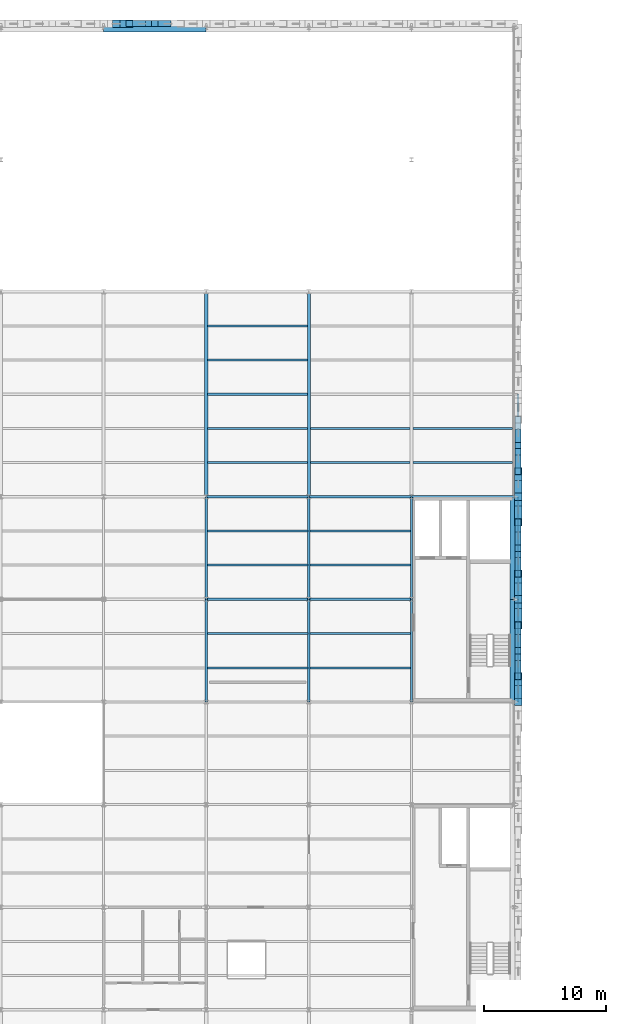
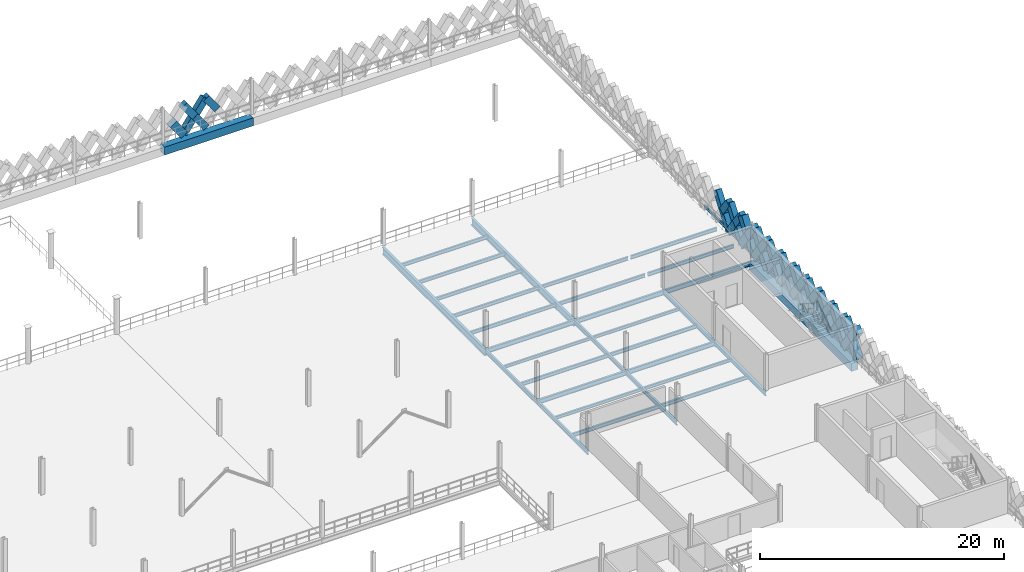
# One storey, part 25 of 47: 40 members, 33 beams.
"""IFC4 building model written with IfcOpenShell, lengths in metres."""

from ifc_helpers import new_model, si_unit, direction, frame, origin, origin_2d, place, context, subcontext, project, spatial, rectangle, hollow_rectangle, i_section, extrude, material, material_profile, profile_set, type_object, element, save


model = new_model("IFC4")

# Units and contexts
model_context = context("Model", 3, precision=1e-05, world=origin(), true_north=direction((0.0, 1.0)))
body_context = subcontext(model_context, "Body", "Model", "MODEL_VIEW")
ifc_project = project(units=[si_unit("LENGTHUNIT", "METRE"), si_unit("AREAUNIT", "SQUARE_METRE"), si_unit("VOLUMEUNIT", "CUBIC_METRE"), si_unit("PLANEANGLEUNIT", "RADIAN"), si_unit("MASSUNIT", "GRAM", prefix="KILO"), si_unit("THERMODYNAMICTEMPERATUREUNIT", "KELVIN"), si_unit("POWERUNIT", "WATT")], contexts=[model_context])

# Site, building, storey
site_placement = place(None, origin())
site = spatial("IfcSite", under=ifc_project, at=site_placement, CompositionType="ELEMENT")
building_placement = place(site_placement, origin())
building = spatial("IfcBuilding", under=site, at=building_placement, Name="Tembeka Court Mobility Hub", CompositionType="ELEMENT")
storey_placement = place(building_placement, frame((0.0, 0.0, 19.800048828125)))
storey = spatial("IfcBuildingStorey", under=building, at=storey_placement, Name="L05", CompositionType="ELEMENT", Elevation=19.800048828125)

# Beams
ifc_material_1 = material(Name="Steel S355", Category="steel")
ifc_material_profile_1 = material_profile(ifc_material_1, i_section(OverallWidth=0.18994140625, OverallDepth=0.45703125, WebThickness=0.009033203125, FlangeThickness=0.014404296875, FilletRadius=0.01025390625, at=origin_2d()), Name="UKB 457x191x74")
ifc_profile_set_1 = profile_set([ifc_material_profile_1], Name="Steel S355")
beam_type_1 = type_object("IfcBeamType", Name="BM-B01", PredefinedType="BEAM", material=ifc_profile_set_1)
beam_1_placement = place(storey_placement, frame((67.199951171875, 72.0, -0.448486328125), z_axis=(1.0, 0.0, 0.0), x_axis=(0.0, 1.0, 0.0)))
element("IfcBeam", 1, at=beam_1_placement, inside=storey, type_object=beam_type_1, Name="Beam B01 (BM-L05-X2740)", PredefinedType="BEAM", context=body_context, shape_type="SweptSolid", body=[
    extrude(i_section(OverallWidth=0.18994140625, OverallDepth=0.45703125, WebThickness=0.009033203125, FlangeThickness=0.014404296875, FilletRadius=0.01025390625, at=origin_2d()), origin(), (0.0, 0.0, 1.0), 8.400146484375),
])
beam_2_placement = place(storey_placement, frame((75.60009765625, 72.0, -0.448486328125), z_axis=(1.0, 0.0, 0.0), x_axis=(0.0, 1.0, 0.0)))
element("IfcBeam", 2, at=beam_2_placement, inside=storey, type_object=beam_type_1, Name="Beam B01 (BM-L05-X2741)", PredefinedType="BEAM", context=body_context, shape_type="SweptSolid", body=[
    extrude(i_section(OverallWidth=0.18994140625, OverallDepth=0.45703125, WebThickness=0.009033203125, FlangeThickness=0.014404296875, FilletRadius=0.01025390625, at=origin_2d()), origin(), (0.0, 0.0, 1.0), 8.39990234375),
])
beam_3_placement = place(storey_placement, frame((67.199951171875, 80.39990234375, -0.448486328125), z_axis=(1.0, 0.0, 0.0), x_axis=(0.0, 1.0, 0.0)))
element("IfcBeam", 3, at=beam_3_placement, inside=storey, type_object=beam_type_1, Name="Beam B01 (BM-L05-X2750)", PredefinedType="BEAM", context=body_context, shape_type="SweptSolid", body=[
    extrude(i_section(OverallWidth=0.18994140625, OverallDepth=0.45703125, WebThickness=0.009033203125, FlangeThickness=0.014404296875, FilletRadius=0.01025390625, at=origin_2d()), origin(), (0.0, 0.0, 1.0), 8.400146484375),
])
for number, where, z_axis, x_axis, name in (
    (4, (75.60009765625, 80.39990234375, -0.448486328125), (1.0, 0.0, 0.0), (0.0, 1.0, 0.0), "Beam B01 (BM-L05-X2751)"),
    (5, (84.0, 80.39990234375, -0.448486328125), (1.0, 0.0, 0.0), (0.0, 1.0, 0.0), "Beam B01 (BM-L05-X2752)"),
):
    element("IfcBeam", number, at=place(storey_placement, frame(where, z_axis=z_axis, x_axis=x_axis)), inside=storey, type_object=beam_type_1, Name=name, PredefinedType="BEAM", context=body_context, shape_type="SweptSolid", body=[
        extrude(i_section(OverallWidth=0.18994140625, OverallDepth=0.45703125, WebThickness=0.009033203125, FlangeThickness=0.014404296875, FilletRadius=0.01025390625, at=origin_2d()), origin(), (0.0, 0.0, 1.0), 8.39990234375),
    ])
ifc_material_profile_2 = material_profile(ifc_material_1, i_section(OverallWidth=0.177978515625, OverallDepth=0.406005859375, WebThickness=0.0078125, FlangeThickness=0.0126953125, FilletRadius=0.01025390625, at=origin_2d()), Name="UKB 406x178x60")
ifc_profile_set_2 = profile_set([ifc_material_profile_2], Name="Steel S355")
beam_type_2 = type_object("IfcBeamType", Name="BM-B02", PredefinedType="BEAM", material=ifc_profile_set_2)
for number, where, z_axis, x_axis, name in (
    (6, (67.199951171875, 63.60009765625, -0.423095703125), (0.0, 1.0, 0.0), (-1.0, 0.0, 0.0), "Beam B02 (BM-L05-Y2845)"),
    (7, (67.199951171875, 72.0, -0.423095703125), (0.0, 1.0, 0.0), (-1.0, 0.0, 0.0), "Beam B02 (BM-L05-Y2846)"),
    (8, (75.60009765625, 63.60009765625, -0.423095703125), (0.0, 1.0, 0.0), (-1.0, 0.0, 0.0), "Beam B02 (BM-L05-Y2852)"),
    (9, (75.60009765625, 72.0, -0.423095703125), (0.0, 1.0, 0.0), (-1.0, 0.0, 0.0), "Beam B02 (BM-L05-Y2853)"),
    (10, (84.0, 63.60009765625, -0.423095703125), (0.0, 1.0, 0.0), (-1.0, 0.0, 0.0), "Beam B02 (BM-L05-Y2859)"),
    (11, (84.0, 72.0, -0.423095703125), (0.0, 1.0, 0.0), (-1.0, 0.0, 0.0), "Beam B02 (BM-L05-Y2860)"),
):
    element("IfcBeam", number, at=place(storey_placement, frame(where, z_axis=z_axis, x_axis=x_axis)), inside=storey, type_object=beam_type_2, Name=name, PredefinedType="BEAM", context=body_context, shape_type="SweptSolid", body=[
        extrude(i_section(OverallWidth=0.177978515625, OverallDepth=0.406005859375, WebThickness=0.0078125, FlangeThickness=0.0126953125, FilletRadius=0.01025390625, at=origin_2d()), origin(), (0.0, 0.0, 1.0), 8.39990234375),
    ])
ifc_material_profile_3 = material_profile(ifc_material_1, i_section(OverallWidth=0.25390625, OverallDepth=0.68408203125, WebThickness=0.012451171875, FlangeThickness=0.01904296875, FilletRadius=0.01513671875, at=origin_2d()), Name="UKB 686x254x140")
ifc_profile_set_3 = profile_set([ifc_material_profile_3], Name="Steel S355")
beam_type_3 = type_object("IfcBeamType", Name="BM-G01", PredefinedType="USERDEFINED", material=ifc_profile_set_3)
for number, where, z_axis, x_axis, name in (
    (12, (67.199951171875, 80.39990234375, -0.56201171875), (0.0, 1.0, 0.0), (-1.0, 0.0, 0.0), "Beam G01 (BM-L05-Y2847)"),
    (13, (75.60009765625, 80.39990234375, -0.56201171875), (0.0, 1.0, 0.0), (-1.0, 0.0, 0.0), "Beam G01 (BM-L05-Y2854)"),
):
    element("IfcBeam", number, at=place(storey_placement, frame(where, z_axis=z_axis, x_axis=x_axis)), inside=storey, type_object=beam_type_3, Name=name, ObjectType="GIRDER", PredefinedType="USERDEFINED", context=body_context, shape_type="SweptSolid", body=[
        extrude(i_section(OverallWidth=0.25390625, OverallDepth=0.68408203125, WebThickness=0.012451171875, FlangeThickness=0.01904296875, FilletRadius=0.01513671875, at=origin_2d()), origin(), (0.0, 0.0, 1.0), 16.800048828125),
    ])
ifc_material_profile_4 = material_profile(ifc_material_1, i_section(OverallWidth=0.172119140625, OverallDepth=0.35498046875, WebThickness=0.00732421875, FlangeThickness=0.011474609375, FilletRadius=0.01025390625, at=origin_2d()), Name="UKB 356x171x51")
ifc_profile_set_4 = profile_set([ifc_material_profile_4], Name="Steel S355")
beam_type_4 = type_object("IfcBeamType", Name="BM-J01", PredefinedType="JOIST", material=ifc_profile_set_4)
for number, where, z_axis, x_axis, name in (
    (14, (67.322021484375, 83.199951171875, -0.3974609375), (1.0, 0.0, 0.0), (0.0, 1.0, 0.0), "Beam J01 (JST-L05-3040)"),
    (15, (67.322021484375, 86.0, -0.3974609375), (1.0, 0.0, 0.0), (0.0, 1.0, 0.0), "Beam J01 (JST-L05-3041)"),
    (16, (67.322021484375, 88.800048828125, -0.3974609375), (1.0, 0.0, 0.0), (0.0, 1.0, 0.0), "Beam J01 (JST-L05-3042)"),
    (17, (67.322021484375, 91.60009765625, -0.3974609375), (1.0, 0.0, 0.0), (0.0, 1.0, 0.0), "Beam J01 (JST-L05-3043)"),
    (18, (67.322021484375, 94.39990234375, -0.3974609375), (1.0, 0.0, 0.0), (0.0, 1.0, 0.0), "Beam J01 (JST-L05-3044)"),
    (19, (75.721923828125, 83.199951171875, -0.3974609375), (1.0, 0.0, 0.0), (0.0, 1.0, 0.0), "Beam J01 (JST-L05-3060)"),
    (20, (75.721923828125, 86.0, -0.3974609375), (1.0, 0.0, 0.0), (0.0, 1.0, 0.0), "Beam J01 (JST-L05-3061)"),
    (21, (84.1220703125, 83.199951171875, -0.3974609375), (1.0, 0.0, 0.0), (0.0, 1.0, 0.0), "Beam J01 (JST-L05-3072)"),
    (22, (84.1220703125, 86.0, -0.3974609375), (1.0, 0.0, 0.0), (0.0, 1.0, 0.0), "Beam J01 (JST-L05-3073)"),
):
    element("IfcBeam", number, at=place(storey_placement, frame(where, z_axis=z_axis, x_axis=x_axis)), inside=storey, type_object=beam_type_4, Name=name, PredefinedType="JOIST", context=body_context, shape_type="SweptSolid", body=[
        extrude(i_section(OverallWidth=0.172119140625, OverallDepth=0.35498046875, WebThickness=0.00732421875, FlangeThickness=0.011474609375, FilletRadius=0.01025390625, at=origin_2d()), origin(), (0.0, 0.0, 1.0), 8.156005859375),
    ])
ifc_material_profile_5 = material_profile(ifc_material_1, i_section(OverallWidth=0.1650390625, OverallDepth=0.303955078125, WebThickness=0.006103515625, FlangeThickness=0.01025390625, FilletRadius=0.0087890625, at=origin_2d()), Name="UKB 305x165x40")
ifc_profile_set_5 = profile_set([ifc_material_profile_5], Name="Steel S355")
beam_type_5 = type_object("IfcBeamType", Name="BM-J02", PredefinedType="JOIST", material=ifc_profile_set_5)
for number, where, z_axis, x_axis, name in (
    (23, (67.283935546875, 69.199951171875, -0.3720703125), (1.0, 0.0, 0.0), (0.0, 1.0, 0.0), "Beam J02 (JST-L05-3037)"),
    (24, (67.283935546875, 77.60009765625, -0.3720703125), (1.0, 0.0, 0.0), (0.0, 1.0, 0.0), "Beam J02 (JST-L05-3039)"),
):
    element("IfcBeam", number, at=place(storey_placement, frame(where, z_axis=z_axis, x_axis=x_axis)), inside=storey, type_object=beam_type_5, Name=name, PredefinedType="JOIST", context=body_context, shape_type="SweptSolid", body=[
        extrude(i_section(OverallWidth=0.1650390625, OverallDepth=0.303955078125, WebThickness=0.006103515625, FlangeThickness=0.01025390625, FilletRadius=0.0087890625, at=origin_2d()), origin(), (0.0, 0.0, 1.0), 8.232177734375),
    ])
for number, where, z_axis, x_axis, name in (
    (25, (75.68408203125, 69.199951171875, -0.3720703125), (1.0, 0.0, 0.0), (0.0, 1.0, 0.0), "Beam J02 (JST-L05-3057)"),
    (26, (75.68408203125, 77.60009765625, -0.3720703125), (1.0, 0.0, 0.0), (0.0, 1.0, 0.0), "Beam J02 (JST-L05-3059)"),
):
    element("IfcBeam", number, at=place(storey_placement, frame(where, z_axis=z_axis, x_axis=x_axis)), inside=storey, type_object=beam_type_5, Name=name, PredefinedType="JOIST", context=body_context, shape_type="SweptSolid", body=[
        extrude(i_section(OverallWidth=0.1650390625, OverallDepth=0.303955078125, WebThickness=0.006103515625, FlangeThickness=0.01025390625, FilletRadius=0.0087890625, at=origin_2d()), origin(), (0.0, 0.0, 1.0), 8.23193359375),
    ])
ifc_material_profile_6 = material_profile(ifc_material_1, i_section(OverallWidth=0.169921875, OverallDepth=0.360107421875, WebThickness=0.008056640625, FlangeThickness=0.0126953125, FilletRadius=0.01806640625, at=origin_2d()), Name="IPE 360")
ifc_profile_set_6 = profile_set([ifc_material_profile_6], Name="Steel S355")
beam_type_6 = type_object("IfcBeamType", Name="BM-J03", PredefinedType="JOIST", material=ifc_profile_set_6)
for number, where, z_axis, x_axis, name in (
    (27, (67.283935546875, 66.39990234375, -0.400146484375), (1.0, 0.0, 0.0), (0.0, 1.0, 0.0), "Beam J03 (JST-L05-3036)"),
    (28, (67.283935546875, 74.800048828125, -0.400146484375), (1.0, 0.0, 0.0), (0.0, 1.0, 0.0), "Beam J03 (JST-L05-3038)"),
):
    element("IfcBeam", number, at=place(storey_placement, frame(where, z_axis=z_axis, x_axis=x_axis)), inside=storey, type_object=beam_type_6, Name=name, PredefinedType="JOIST", context=body_context, shape_type="SweptSolid", body=[
        extrude(i_section(OverallWidth=0.169921875, OverallDepth=0.360107421875, WebThickness=0.008056640625, FlangeThickness=0.0126953125, FilletRadius=0.01806640625, at=origin_2d()), origin(), (0.0, 0.0, 1.0), 8.232177734375),
    ])
for number, where, z_axis, x_axis, name in (
    (29, (75.68408203125, 66.39990234375, -0.400146484375), (1.0, 0.0, 0.0), (0.0, 1.0, 0.0), "Beam J03 (JST-L05-3056)"),
    (30, (75.68408203125, 74.800048828125, -0.400146484375), (1.0, 0.0, 0.0), (0.0, 1.0, 0.0), "Beam J03 (JST-L05-3058)"),
):
    element("IfcBeam", number, at=place(storey_placement, frame(where, z_axis=z_axis, x_axis=x_axis)), inside=storey, type_object=beam_type_6, Name=name, PredefinedType="JOIST", context=body_context, shape_type="SweptSolid", body=[
        extrude(i_section(OverallWidth=0.169921875, OverallDepth=0.360107421875, WebThickness=0.008056640625, FlangeThickness=0.0126953125, FilletRadius=0.01806640625, at=origin_2d()), origin(), (0.0, 0.0, 1.0), 8.23193359375),
    ])
ifc_material_2 = material(Name="Precast concrete C45/55", Category="concrete")
ifc_material_profile_7 = material_profile(ifc_material_2, rectangle(XDim=0.64990234375, YDim=0.800048828125, at=origin_2d()), Name="PC-SP 650x800")
ifc_profile_set_7 = profile_set([ifc_material_profile_7], Name="Precast concrete C45/55")
beam_type_7 = type_object("IfcBeamType", Name="BM-SP01", PredefinedType="SPANDREL", material=ifc_profile_set_7)
for number, where, z_axis, x_axis, name in (
    (31, (58.800048828125, 118.800048828125, -0.6201171875), (1.0, 0.0, 0.0), (0.0, 1.0, 0.0), "Beam SP01 (BM-L05-X2772)"),
    (32, (92.39990234375, 63.60009765625, -0.6201171875), (0.0, 1.0, 0.0), (-1.0, 0.0, 0.0), "Beam SP01 (BM-L05-Y2868)"),
    (33, (92.39990234375, 72.0, -0.6201171875), (0.0, 1.0, 0.0), (-1.0, 0.0, 0.0), "Beam SP01 (BM-L05-Y2869)"),
):
    element("IfcBeam", number, at=place(storey_placement, frame(where, z_axis=z_axis, x_axis=x_axis)), inside=storey, type_object=beam_type_7, Name=name, PredefinedType="SPANDREL", context=body_context, shape_type="SweptSolid", body=[
        extrude(rectangle(XDim=0.64990234375, YDim=0.800048828125, at=origin_2d()), origin(), (0.0, 0.0, 1.0), 8.39990234375),
    ])

# Members
ifc_material_profile_8 = material_profile(ifc_material_2, rectangle(XDim=0.5, YDim=0.64990234375, at=origin_2d()), Name="PC-DIAG 500x650")
ifc_profile_set_8 = profile_set([ifc_material_profile_8], Name="Precast concrete C45/55")
member_type_1 = type_object("IfcMemberType", Name="MEM-DL01", PredefinedType="BRACE", material=ifc_profile_set_8)
member_1_placement = place(storey_placement, frame((60.89990234375, 119.139892578125, 0.02001953125), z_axis=(0.582576362011, 0.0, 0.812775973086), x_axis=(0.0, 1.0, 0.0)))
element("IfcMember", 34, at=member_1_placement, inside=storey, type_object=member_type_1, Name="Precast diamond lattice continuous strand DL01 (L05-862A)", PredefinedType="BRACE", context=body_context, shape_type="SweptSolid", body=[
    extrude(rectangle(XDim=0.5, YDim=0.64990234375, at=origin_2d()), origin(), (0.0, 0.0, 1.0), 3.604736328125),
])
member_2_placement = place(storey_placement, frame((63.0, 119.139892578125, 0.02001953125), z_axis=(-0.582608431711, 0.0, 0.812752985414), x_axis=(0.0, -1.0, 0.0)))
element("IfcMember", 35, at=member_2_placement, inside=storey, type_object=member_type_1, Name="Precast diamond lattice split lower strand DL01 (L05-862B1)", PredefinedType="BRACE", context=body_context, shape_type="SweptSolid", body=[
    extrude(rectangle(XDim=0.5, YDim=0.64990234375, at=origin_2d()), origin(), (0.0, 0.0, 1.0), 1.80224609375),
])
for number, where, z_axis, x_axis, name in (
    (36, (61.949951171875, 119.139892578125, 1.48486328125), (-0.582544294934, 0.0, 0.812798956963), (0.0, -1.0, 0.0), "Precast diamond lattice split upper strand DL01 (L05-862B2)"),
    (37, (64.050048828125, 119.139892578125, 1.48486328125), (-0.582544294934, 0.0, 0.812798956963), (0.0, -1.0, 0.0), "Precast diamond lattice split upper strand DL01 (L05-863B2)"),
):
    element("IfcMember", number, at=place(storey_placement, frame(where, z_axis=z_axis, x_axis=x_axis)), inside=storey, type_object=member_type_1, Name=name, PredefinedType="BRACE", context=body_context, shape_type="SweptSolid", body=[
        extrude(rectangle(XDim=0.5, YDim=0.64990234375, at=origin_2d()), origin(), (0.0, 0.0, 1.0), 1.802490234375),
    ])
member_3_placement = place(storey_placement, frame((92.739990234375, 65.699951171875, 0.02001953125), z_axis=(0.0, 0.582576362011, 0.812775973086), x_axis=(-1.0, 0.0, 0.0)))
element("IfcMember", 38, at=member_3_placement, inside=storey, type_object=member_type_1, Name="Precast diamond lattice continuous strand DL01 (L05-964C)", PredefinedType="BRACE", context=body_context, shape_type="SweptSolid", body=[
    extrude(rectangle(XDim=0.5, YDim=0.64990234375, at=origin_2d()), origin(), (0.0, 0.0, 1.0), 3.604736328125),
])
member_4_placement = place(storey_placement, frame((92.739990234375, 67.800048828125, 0.02001953125), z_axis=(0.0, -0.582608431711, 0.812752985414), x_axis=(1.0, 0.0, 0.0)))
element("IfcMember", 39, at=member_4_placement, inside=storey, type_object=member_type_1, Name="Precast diamond lattice split lower strand DL01 (L05-964D1)", PredefinedType="BRACE", context=body_context, shape_type="SweptSolid", body=[
    extrude(rectangle(XDim=0.5, YDim=0.64990234375, at=origin_2d()), origin(), (0.0, 0.0, 1.0), 1.80224609375),
])
member_5_placement = place(storey_placement, frame((92.739990234375, 66.75, 1.48486328125), z_axis=(0.0, -0.582544294934, 0.812798956963), x_axis=(1.0, 0.0, 0.0)))
element("IfcMember", 40, at=member_5_placement, inside=storey, type_object=member_type_1, Name="Precast diamond lattice split upper strand DL01 (L05-964D2)", PredefinedType="BRACE", context=body_context, shape_type="SweptSolid", body=[
    extrude(rectangle(XDim=0.5, YDim=0.64990234375, at=origin_2d()), origin(), (0.0, 0.0, 1.0), 1.802490234375),
])
member_6_placement = place(storey_placement, frame((92.739990234375, 67.800048828125, 0.02001953125), z_axis=(0.0, 0.58253161945, 0.812808041509), x_axis=(-1.0, 0.0, 0.0)))
element("IfcMember", 41, at=member_6_placement, inside=storey, type_object=member_type_1, Name="Precast diamond lattice continuous strand DL01 (L05-965C)", PredefinedType="BRACE", context=body_context, shape_type="SweptSolid", body=[
    extrude(rectangle(XDim=0.5, YDim=0.64990234375, at=origin_2d()), origin(), (0.0, 0.0, 1.0), 3.604736328125),
])
member_7_placement = place(storey_placement, frame((92.739990234375, 69.89990234375, 0.02001953125), z_axis=(0.0, -0.582518941428, 0.812817127574), x_axis=(1.0, 0.0, 0.0)))
element("IfcMember", 42, at=member_7_placement, inside=storey, type_object=member_type_1, Name="Precast diamond lattice split lower strand DL01 (L05-965D1)", PredefinedType="BRACE", context=body_context, shape_type="SweptSolid", body=[
    extrude(rectangle(XDim=0.5, YDim=0.64990234375, at=origin_2d()), origin(), (0.0, 0.0, 1.0), 1.80224609375),
])
member_8_placement = place(storey_placement, frame((92.739990234375, 68.85009765625, 1.48486328125), z_axis=(0.0, -0.582544294934, 0.812798956963), x_axis=(1.0, 0.0, 0.0)))
element("IfcMember", 43, at=member_8_placement, inside=storey, type_object=member_type_1, Name="Precast diamond lattice split upper strand DL01 (L05-965D2)", PredefinedType="BRACE", context=body_context, shape_type="SweptSolid", body=[
    extrude(rectangle(XDim=0.5, YDim=0.64990234375, at=origin_2d()), origin(), (0.0, 0.0, 1.0), 1.802490234375),
])
member_9_placement = place(storey_placement, frame((92.739990234375, 74.10009765625, 0.02001953125), z_axis=(0.0, 0.58253161945, 0.812808041509), x_axis=(-1.0, 0.0, 0.0)))
element("IfcMember", 44, at=member_9_placement, inside=storey, type_object=member_type_1, Name="Precast diamond lattice continuous strand DL01 (L05-968C)", PredefinedType="BRACE", context=body_context, shape_type="SweptSolid", body=[
    extrude(rectangle(XDim=0.5, YDim=0.64990234375, at=origin_2d()), origin(), (0.0, 0.0, 1.0), 3.604736328125),
])
member_10_placement = place(storey_placement, frame((92.739990234375, 76.199951171875, 0.02001953125), z_axis=(0.0, -0.582608431711, 0.812752985414), x_axis=(1.0, 0.0, 0.0)))
element("IfcMember", 45, at=member_10_placement, inside=storey, type_object=member_type_1, Name="Precast diamond lattice split lower strand DL01 (L05-968D1)", PredefinedType="BRACE", context=body_context, shape_type="SweptSolid", body=[
    extrude(rectangle(XDim=0.5, YDim=0.64990234375, at=origin_2d()), origin(), (0.0, 0.0, 1.0), 1.80224609375),
])
member_11_placement = place(storey_placement, frame((92.739990234375, 75.14990234375, 1.48486328125), z_axis=(0.0, -0.582454804382, 0.812863088627), x_axis=(1.0, 0.0, 0.0)))
element("IfcMember", 46, at=member_11_placement, inside=storey, type_object=member_type_1, Name="Precast diamond lattice split upper strand DL01 (L05-968D2)", PredefinedType="BRACE", context=body_context, shape_type="SweptSolid", body=[
    extrude(rectangle(XDim=0.5, YDim=0.64990234375, at=origin_2d()), origin(), (0.0, 0.0, 1.0), 1.802490234375),
])
member_12_placement = place(storey_placement, frame((92.739990234375, 76.199951171875, 0.02001953125), z_axis=(0.0, 0.582576362011, 0.812775973086), x_axis=(-1.0, 0.0, 0.0)))
element("IfcMember", 47, at=member_12_placement, inside=storey, type_object=member_type_1, Name="Precast diamond lattice continuous strand DL01 (L05-969C)", PredefinedType="BRACE", context=body_context, shape_type="SweptSolid", body=[
    extrude(rectangle(XDim=0.5, YDim=0.64990234375, at=origin_2d()), origin(), (0.0, 0.0, 1.0), 3.604736328125),
])
member_13_placement = place(storey_placement, frame((92.739990234375, 78.300048828125, 0.02001953125), z_axis=(0.0, -0.582608431711, 0.812752985414), x_axis=(1.0, 0.0, 0.0)))
element("IfcMember", 48, at=member_13_placement, inside=storey, type_object=member_type_1, Name="Precast diamond lattice split lower strand DL01 (L05-969D1)", PredefinedType="BRACE", context=body_context, shape_type="SweptSolid", body=[
    extrude(rectangle(XDim=0.5, YDim=0.64990234375, at=origin_2d()), origin(), (0.0, 0.0, 1.0), 1.80224609375),
])
member_14_placement = place(storey_placement, frame((92.739990234375, 77.25, 1.48486328125), z_axis=(0.0, -0.582544294934, 0.812798956963), x_axis=(1.0, 0.0, 0.0)))
element("IfcMember", 49, at=member_14_placement, inside=storey, type_object=member_type_1, Name="Precast diamond lattice split upper strand DL01 (L05-969D2)", PredefinedType="BRACE", context=body_context, shape_type="SweptSolid", body=[
    extrude(rectangle(XDim=0.5, YDim=0.64990234375, at=origin_2d()), origin(), (0.0, 0.0, 1.0), 1.802490234375),
])
member_15_placement = place(storey_placement, frame((92.739990234375, 82.5, 0.02001953125), z_axis=(0.0, 0.582576362011, 0.812775973086), x_axis=(-1.0, 0.0, 0.0)))
element("IfcMember", 50, at=member_15_placement, inside=storey, type_object=member_type_1, Name="Precast diamond lattice continuous strand DL01 (L05-972C)", PredefinedType="BRACE", context=body_context, shape_type="SweptSolid", body=[
    extrude(rectangle(XDim=0.5, YDim=0.64990234375, at=origin_2d()), origin(), (0.0, 0.0, 1.0), 3.604736328125),
])
member_16_placement = place(storey_placement, frame((92.739990234375, 84.60009765625, 0.02001953125), z_axis=(0.0, -0.582608431711, 0.812752985414), x_axis=(1.0, 0.0, 0.0)))
element("IfcMember", 51, at=member_16_placement, inside=storey, type_object=member_type_1, Name="Precast diamond lattice split lower strand DL01 (L05-972D1)", PredefinedType="BRACE", context=body_context, shape_type="SweptSolid", body=[
    extrude(rectangle(XDim=0.5, YDim=0.64990234375, at=origin_2d()), origin(), (0.0, 0.0, 1.0), 1.80224609375),
])
member_17_placement = place(storey_placement, frame((92.739990234375, 83.550048828125, 1.48486328125), z_axis=(0.0, -0.582544294934, 0.812798956963), x_axis=(1.0, 0.0, 0.0)))
element("IfcMember", 52, at=member_17_placement, inside=storey, type_object=member_type_1, Name="Precast diamond lattice split upper strand DL01 (L05-972D2)", PredefinedType="BRACE", context=body_context, shape_type="SweptSolid", body=[
    extrude(rectangle(XDim=0.5, YDim=0.64990234375, at=origin_2d()), origin(), (0.0, 0.0, 1.0), 1.802490234375),
])
member_18_placement = place(storey_placement, frame((92.739990234375, 84.60009765625, 0.02001953125), z_axis=(0.0, 0.58253161945, 0.812808041509), x_axis=(-1.0, 0.0, 0.0)))
element("IfcMember", 53, at=member_18_placement, inside=storey, type_object=member_type_1, Name="Precast diamond lattice continuous strand DL01 (L05-973C)", PredefinedType="BRACE", context=body_context, shape_type="SweptSolid", body=[
    extrude(rectangle(XDim=0.5, YDim=0.64990234375, at=origin_2d()), origin(), (0.0, 0.0, 1.0), 3.604736328125),
])
member_19_placement = place(storey_placement, frame((92.739990234375, 85.64990234375, 1.48486328125), z_axis=(0.0, -0.582454804382, 0.812863088627), x_axis=(1.0, 0.0, 0.0)))
element("IfcMember", 54, at=member_19_placement, inside=storey, type_object=member_type_1, Name="Precast diamond lattice split upper strand DL01 (L05-973D2)", PredefinedType="BRACE", context=body_context, shape_type="SweptSolid", body=[
    extrude(rectangle(XDim=0.5, YDim=0.64990234375, at=origin_2d()), origin(), (0.0, 0.0, 1.0), 1.802490234375),
])
ifc_material_profile_9 = material_profile(ifc_material_2, rectangle(XDim=0.60009765625, YDim=0.75, at=origin_2d()), Name="PC-DIAG 600x750")
ifc_profile_set_9 = profile_set([ifc_material_profile_9], Name="Precast concrete C45/55")
member_type_2 = type_object("IfcMemberType", Name="MEM-DL02", PredefinedType="BRACE", material=ifc_profile_set_9)
member_20_placement = place(storey_placement, frame((60.89990234375, 119.139892578125, 0.02001953125), z_axis=(-0.582518941428, 0.0, 0.812817127574), x_axis=(0.0, -1.0, 0.0)))
element("IfcMember", 55, at=member_20_placement, inside=storey, type_object=member_type_2, Name="Precast diamond lattice split lower strand DL02 (L05-861B1)", PredefinedType="BRACE", context=body_context, shape_type="SweptSolid", body=[
    extrude(rectangle(XDim=0.60009765625, YDim=0.75, at=origin_2d()), origin(), (0.0, 0.0, 1.0), 1.80224609375),
])
member_21_placement = place(storey_placement, frame((92.739990234375, 63.60009765625, 0.02001953125), z_axis=(0.0, 0.58253161945, 0.812808041509), x_axis=(-1.0, 0.0, 0.0)))
element("IfcMember", 56, at=member_21_placement, inside=storey, type_object=member_type_2, Name="Precast diamond lattice continuous strand DL02 (L05-963C)", PredefinedType="BRACE", context=body_context, shape_type="SweptSolid", body=[
    extrude(rectangle(XDim=0.60009765625, YDim=0.75, at=origin_2d()), origin(), (0.0, 0.0, 1.0), 3.604736328125),
])
member_22_placement = place(storey_placement, frame((92.739990234375, 65.699951171875, 0.02001953125), z_axis=(0.0, -0.582608431711, 0.812752985414), x_axis=(1.0, 0.0, 0.0)))
element("IfcMember", 57, at=member_22_placement, inside=storey, type_object=member_type_2, Name="Precast diamond lattice split lower strand DL02 (L05-963D1)", PredefinedType="BRACE", context=body_context, shape_type="SweptSolid", body=[
    extrude(rectangle(XDim=0.60009765625, YDim=0.75, at=origin_2d()), origin(), (0.0, 0.0, 1.0), 1.80224609375),
])
member_23_placement = place(storey_placement, frame((92.739990234375, 64.64990234375, 1.48486328125), z_axis=(0.0, -0.582454804382, 0.812863088627), x_axis=(1.0, 0.0, 0.0)))
element("IfcMember", 58, at=member_23_placement, inside=storey, type_object=member_type_2, Name="Precast diamond lattice split upper strand DL02 (L05-963D2)", PredefinedType="BRACE", context=body_context, shape_type="SweptSolid", body=[
    extrude(rectangle(XDim=0.60009765625, YDim=0.75, at=origin_2d()), origin(), (0.0, 0.0, 1.0), 1.802490234375),
])
member_24_placement = place(storey_placement, frame((92.739990234375, 69.89990234375, 0.02001953125), z_axis=(0.0, 0.582576362011, 0.812775973086), x_axis=(-1.0, 0.0, 0.0)))
element("IfcMember", 59, at=member_24_placement, inside=storey, type_object=member_type_2, Name="Precast diamond lattice continuous strand DL02 (L05-966C)", PredefinedType="BRACE", context=body_context, shape_type="SweptSolid", body=[
    extrude(rectangle(XDim=0.60009765625, YDim=0.75, at=origin_2d()), origin(), (0.0, 0.0, 1.0), 3.604736328125),
])
member_25_placement = place(storey_placement, frame((92.739990234375, 72.0, 0.02001953125), z_axis=(0.0, -0.582608431711, 0.812752985414), x_axis=(1.0, 0.0, 0.0)))
element("IfcMember", 60, at=member_25_placement, inside=storey, type_object=member_type_2, Name="Precast diamond lattice split lower strand DL02 (L05-966D1)", PredefinedType="BRACE", context=body_context, shape_type="SweptSolid", body=[
    extrude(rectangle(XDim=0.60009765625, YDim=0.75, at=origin_2d()), origin(), (0.0, 0.0, 1.0), 1.80224609375),
])
member_26_placement = place(storey_placement, frame((92.739990234375, 70.949951171875, 1.48486328125), z_axis=(0.0, -0.582544294934, 0.812798956963), x_axis=(1.0, 0.0, 0.0)))
element("IfcMember", 61, at=member_26_placement, inside=storey, type_object=member_type_2, Name="Precast diamond lattice split upper strand DL02 (L05-966D2)", PredefinedType="BRACE", context=body_context, shape_type="SweptSolid", body=[
    extrude(rectangle(XDim=0.60009765625, YDim=0.75, at=origin_2d()), origin(), (0.0, 0.0, 1.0), 1.802490234375),
])
member_27_placement = place(storey_placement, frame((92.739990234375, 72.0, 0.02001953125), z_axis=(0.0, 0.582576362011, 0.812775973086), x_axis=(-1.0, 0.0, 0.0)))
element("IfcMember", 62, at=member_27_placement, inside=storey, type_object=member_type_2, Name="Precast diamond lattice continuous strand DL02 (L05-967C)", PredefinedType="BRACE", context=body_context, shape_type="SweptSolid", body=[
    extrude(rectangle(XDim=0.60009765625, YDim=0.75, at=origin_2d()), origin(), (0.0, 0.0, 1.0), 3.604736328125),
])
member_28_placement = place(storey_placement, frame((92.739990234375, 74.10009765625, 0.02001953125), z_axis=(0.0, -0.582608431711, 0.812752985414), x_axis=(1.0, 0.0, 0.0)))
element("IfcMember", 63, at=member_28_placement, inside=storey, type_object=member_type_2, Name="Precast diamond lattice split lower strand DL02 (L05-967D1)", PredefinedType="BRACE", context=body_context, shape_type="SweptSolid", body=[
    extrude(rectangle(XDim=0.60009765625, YDim=0.75, at=origin_2d()), origin(), (0.0, 0.0, 1.0), 1.80224609375),
])
member_29_placement = place(storey_placement, frame((92.739990234375, 73.050048828125, 1.48486328125), z_axis=(0.0, -0.582544294934, 0.812798956963), x_axis=(1.0, 0.0, 0.0)))
element("IfcMember", 64, at=member_29_placement, inside=storey, type_object=member_type_2, Name="Precast diamond lattice split upper strand DL02 (L05-967D2)", PredefinedType="BRACE", context=body_context, shape_type="SweptSolid", body=[
    extrude(rectangle(XDim=0.60009765625, YDim=0.75, at=origin_2d()), origin(), (0.0, 0.0, 1.0), 1.802490234375),
])
member_30_placement = place(storey_placement, frame((92.739990234375, 78.300048828125, 0.02001953125), z_axis=(0.0, 0.58253161945, 0.812808041509), x_axis=(-1.0, 0.0, 0.0)))
element("IfcMember", 65, at=member_30_placement, inside=storey, type_object=member_type_2, Name="Precast diamond lattice continuous strand DL02 (L05-970C)", PredefinedType="BRACE", context=body_context, shape_type="SweptSolid", body=[
    extrude(rectangle(XDim=0.60009765625, YDim=0.75, at=origin_2d()), origin(), (0.0, 0.0, 1.0), 3.604736328125),
])
member_31_placement = place(storey_placement, frame((92.739990234375, 80.39990234375, 0.02001953125), z_axis=(0.0, -0.582518941428, 0.812817127574), x_axis=(1.0, 0.0, 0.0)))
element("IfcMember", 66, at=member_31_placement, inside=storey, type_object=member_type_2, Name="Precast diamond lattice split lower strand DL02 (L05-970D1)", PredefinedType="BRACE", context=body_context, shape_type="SweptSolid", body=[
    extrude(rectangle(XDim=0.60009765625, YDim=0.75, at=origin_2d()), origin(), (0.0, 0.0, 1.0), 1.80224609375),
])
member_32_placement = place(storey_placement, frame((92.739990234375, 79.35009765625, 1.48486328125), z_axis=(0.0, -0.582544294934, 0.812798956963), x_axis=(1.0, 0.0, 0.0)))
element("IfcMember", 67, at=member_32_placement, inside=storey, type_object=member_type_2, Name="Precast diamond lattice split upper strand DL02 (L05-970D2)", PredefinedType="BRACE", context=body_context, shape_type="SweptSolid", body=[
    extrude(rectangle(XDim=0.60009765625, YDim=0.75, at=origin_2d()), origin(), (0.0, 0.0, 1.0), 1.802490234375),
])
member_33_placement = place(storey_placement, frame((92.739990234375, 80.39990234375, 0.02001953125), z_axis=(0.0, 0.582576362011, 0.812775973086), x_axis=(-1.0, 0.0, 0.0)))
element("IfcMember", 68, at=member_33_placement, inside=storey, type_object=member_type_2, Name="Precast diamond lattice continuous strand DL02 (L05-971C)", PredefinedType="BRACE", context=body_context, shape_type="SweptSolid", body=[
    extrude(rectangle(XDim=0.60009765625, YDim=0.75, at=origin_2d()), origin(), (0.0, 0.0, 1.0), 3.604736328125),
])
member_34_placement = place(storey_placement, frame((92.739990234375, 82.5, 0.02001953125), z_axis=(0.0, -0.582608431711, 0.812752985414), x_axis=(1.0, 0.0, 0.0)))
element("IfcMember", 69, at=member_34_placement, inside=storey, type_object=member_type_2, Name="Precast diamond lattice split lower strand DL02 (L05-971D1)", PredefinedType="BRACE", context=body_context, shape_type="SweptSolid", body=[
    extrude(rectangle(XDim=0.60009765625, YDim=0.75, at=origin_2d()), origin(), (0.0, 0.0, 1.0), 1.80224609375),
])
member_35_placement = place(storey_placement, frame((92.739990234375, 81.449951171875, 1.48486328125), z_axis=(0.0, -0.582544294934, 0.812798956963), x_axis=(1.0, 0.0, 0.0)))
element("IfcMember", 70, at=member_35_placement, inside=storey, type_object=member_type_2, Name="Precast diamond lattice split upper strand DL02 (L05-971D2)", PredefinedType="BRACE", context=body_context, shape_type="SweptSolid", body=[
    extrude(rectangle(XDim=0.60009765625, YDim=0.75, at=origin_2d()), origin(), (0.0, 0.0, 1.0), 1.802490234375),
])
ifc_material_profile_10 = material_profile(ifc_material_1, hollow_rectangle(XDim=0.14990234375, YDim=0.300048828125, WallThickness=0.010009765625, at=origin_2d()), Name="RHS 300x150x10")
ifc_profile_set_10 = profile_set([ifc_material_profile_10], Name="Steel S355")
member_type_3 = type_object("IfcMemberType", Name="MEM-ST03", PredefinedType="STRUT", material=ifc_profile_set_10)
for number, where, z_axis, x_axis, name in (
    (71, (92.739990234375, 63.60009765625, 0.02001953125), (0.0, 1.0, 0.0), (-1.0, 0.0, 0.0), "Proud lattice sill tie chord SR03 (L05-E-63)"),
    (72, (92.739990234375, 72.0, 0.02001953125), (0.0, 1.0, 0.0), (-1.0, 0.0, 0.0), "Proud lattice sill tie chord SR03 (L05-E-72)"),
):
    element("IfcMember", number, at=place(storey_placement, frame(where, z_axis=z_axis, x_axis=x_axis)), inside=storey, type_object=member_type_3, Name=name, PredefinedType="STRUT", context=body_context, shape_type="SweptSolid", body=[
        extrude(hollow_rectangle(XDim=0.14990234375, YDim=0.300048828125, WallThickness=0.010009765625, at=origin_2d()), origin(), (0.0, 0.0, 1.0), 8.39990234375),
    ])
member_36_placement = place(storey_placement, frame((92.739990234375, 80.39990234375, 0.02001953125), z_axis=(0.0, 1.0, 0.0), x_axis=(-1.0, 0.0, 0.0)))
element("IfcMember", 73, at=member_36_placement, inside=storey, type_object=member_type_3, Name="Proud lattice sill tie chord SR03 (L05-E-80)", PredefinedType="STRUT", context=body_context, shape_type="SweptSolid", body=[
    extrude(hollow_rectangle(XDim=0.14990234375, YDim=0.300048828125, WallThickness=0.010009765625, at=origin_2d()), origin(), (0.0, 0.0, 1.0), 8.400146484375),
])

save(model, "model.ifc")
